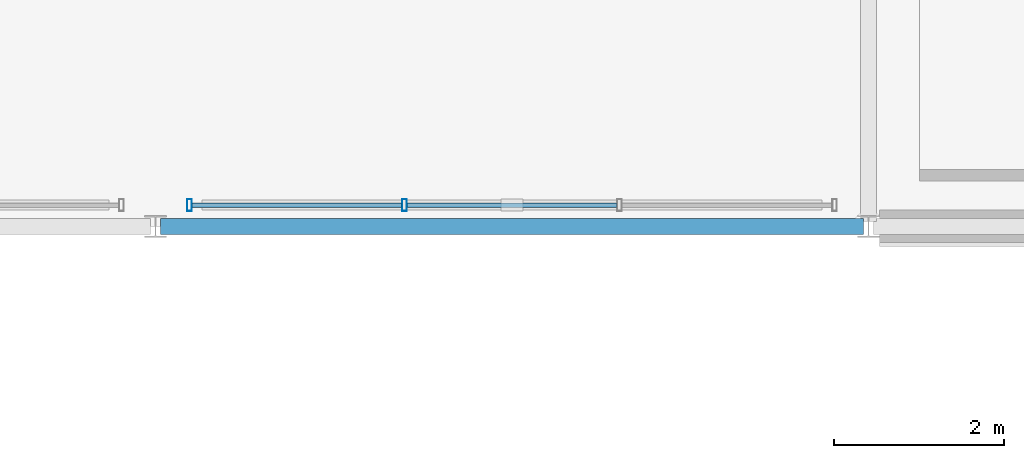
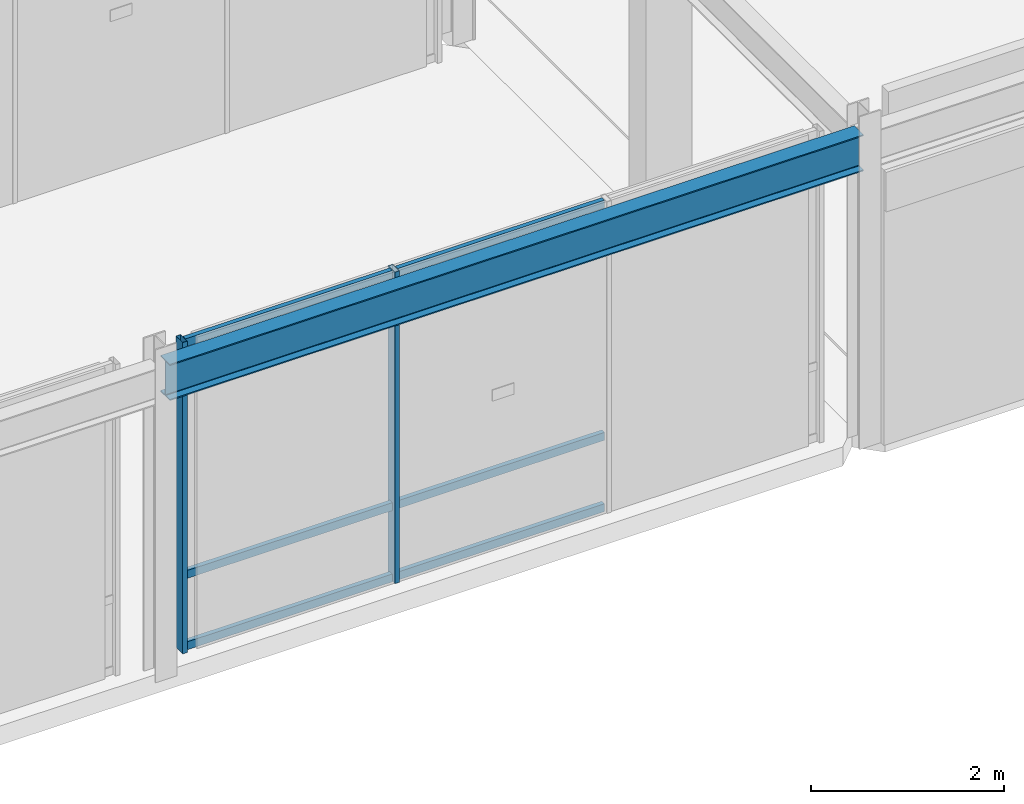
# One storey, part 26 of 152: 8 members, 1 beam, 1 element without a shape of its own.
"""IFC4 building model written with IfcOpenShell, lengths in metres."""

from ifc_helpers import new_model, si_unit, direction, frame, origin, origin_2d, place, context, subcontext, project, spatial, hollow_rectangle, i_section, extrude, material, material_profile, profile_set, type_object, element, aggregate, save


model = new_model("IFC4")

# Units and contexts
model_context = context("Model", 3, precision=1e-05, world=origin(), true_north=direction((0.0, 1.0)))
body_context = subcontext(model_context, "Body", "Model", "MODEL_VIEW")
ifc_project = project(units=[si_unit("LENGTHUNIT", "METRE"), si_unit("AREAUNIT", "SQUARE_METRE"), si_unit("VOLUMEUNIT", "CUBIC_METRE"), si_unit("PLANEANGLEUNIT", "RADIAN"), si_unit("MASSUNIT", "GRAM", prefix="KILO"), si_unit("THERMODYNAMICTEMPERATUREUNIT", "KELVIN"), si_unit("POWERUNIT", "WATT")], contexts=[model_context])

# Site, building, storey
site_placement = place(None, origin())
site = spatial("IfcSite", under=ifc_project, at=site_placement, CompositionType="ELEMENT")
building_placement = place(site_placement, origin())
building = spatial("IfcBuilding", under=site, at=building_placement, Name="Darbajah Civic Hall", CompositionType="ELEMENT")
storey_placement = place(building_placement, frame((0.0, 0.0, 5.39990234375)))
storey = spatial("IfcBuildingStorey", under=building, at=storey_placement, Name="L01", CompositionType="ELEMENT", Elevation=5.39990234375)

# Curtain wall, members
ifc_material_1 = material(Name="Anodised Bronze Aluminium and Low-E Glazing", Category="aluminium")
curtain_wall_type = type_object("IfcCurtainWallType", Name="Unitised Curtain Wall CW-103 7600x3950", PredefinedType="USERDEFINED", material=ifc_material_1)
curtain_wall_placement = place(storey_placement, origin())
curtain_wall = element("IfcCurtainWall", 1, at=curtain_wall_placement, inside=storey, type_object=curtain_wall_type, Name="L01 unitised curtain wall CW-V6-SW-S2-L01", ObjectType="UNITISED CURTAIN WALL", PredefinedType="USERDEFINED")
ifc_material_2 = material(Name="Anodised Bronze Aluminium", Category="aluminium")
ifc_material_profile_1 = material_profile(ifc_material_2, hollow_rectangle(XDim=0.054931640625, YDim=0.139892578125, WallThickness=0.003173828125, at=origin_2d()), Name="ALU MULLION 55x140")
ifc_profile_set_1 = profile_set([ifc_material_profile_1], Name="Anodised Bronze Aluminium")
member_type_1 = type_object("IfcMemberType", Name="ALU MULLION 55x140", PredefinedType="MULLION", material=ifc_profile_set_1)
member_1_placement = place(storey_placement, frame((76.0, 33.85009765625, 0.0), z_axis=(0.0, 0.0, 1.0), x_axis=(1.0, 0.0, 0.0)))
member_1 = element("IfcMember", 2, at=member_1_placement, type_object=member_type_1, Name="CW-V6-SW-S2-L01 mullion 1", PredefinedType="MULLION", context=body_context, shape_type="SweptSolid", body=[
    extrude(hollow_rectangle(XDim=0.054931640625, YDim=0.139892578125, WallThickness=0.003173828125, at=origin_2d()), origin(), (0.0, 0.0, 1.0), 3.93017578125),
])
member_2_placement = place(storey_placement, frame((78.533203125, 33.85009765625, 0.0), z_axis=(0.0, 0.0, 1.0), x_axis=(1.0, 0.0, 0.0)))
member_2 = element("IfcMember", 3, at=member_2_placement, type_object=member_type_1, Name="CW-V6-SW-S2-L01 mullion 2", PredefinedType="MULLION", context=body_context, shape_type="SweptSolid", body=[
    extrude(hollow_rectangle(XDim=0.054931640625, YDim=0.139892578125, WallThickness=0.003173828125, at=origin_2d()), origin(), (0.0, 0.0, 1.0), 3.93017578125),
])
ifc_material_profile_2 = material_profile(ifc_material_2, hollow_rectangle(XDim=0.054931640625, YDim=0.10009765625, WallThickness=0.0029296875, at=origin_2d()), Name="ALU TRANSOM 55x100")
ifc_profile_set_2 = profile_set([ifc_material_profile_2], Name="Anodised Bronze Aluminium")
member_type_2 = type_object("IfcMemberType", Name="ALU TRANSOM 55x100", PredefinedType="USERDEFINED", material=ifc_profile_set_2)
member_3_placement = place(storey_placement, frame((76.032470703125, 33.85009765625, 0.050048828125), z_axis=(1.0, 0.0, 0.0), x_axis=(0.0, 1.0, 0.0)))
member_3 = element("IfcMember", 4, at=member_3_placement, type_object=member_type_2, Name="CW-V6-SW-S2-L01 transom 1.1", ObjectType="TRANSOM", PredefinedType="USERDEFINED", context=body_context, shape_type="SweptSolid", body=[
    extrude(hollow_rectangle(XDim=0.054931640625, YDim=0.10009765625, WallThickness=0.0029296875, at=origin_2d()), origin(), (0.0, 0.0, 1.0), 2.46826171875),
])
member_4_placement = place(storey_placement, frame((76.032470703125, 33.85009765625, 0.9501953125), z_axis=(1.0, 0.0, 0.0), x_axis=(0.0, 1.0, 0.0)))
member_4 = element("IfcMember", 5, at=member_4_placement, type_object=member_type_2, Name="CW-V6-SW-S2-L01 transom 1.2", ObjectType="TRANSOM", PredefinedType="USERDEFINED", context=body_context, shape_type="SweptSolid", body=[
    extrude(hollow_rectangle(XDim=0.054931640625, YDim=0.10009765625, WallThickness=0.0029296875, at=origin_2d()), origin(), (0.0, 0.0, 1.0), 2.46826171875),
])
member_5_placement = place(storey_placement, frame((76.032470703125, 33.85009765625, 3.880126953125), z_axis=(1.0, 0.0, 0.0), x_axis=(0.0, 1.0, 0.0)))
member_5 = element("IfcMember", 6, at=member_5_placement, type_object=member_type_2, Name="CW-V6-SW-S2-L01 transom 1.3", ObjectType="TRANSOM", PredefinedType="USERDEFINED", context=body_context, shape_type="SweptSolid", body=[
    extrude(hollow_rectangle(XDim=0.054931640625, YDim=0.10009765625, WallThickness=0.0029296875, at=origin_2d()), origin(), (0.0, 0.0, 1.0), 2.46826171875),
])
member_6_placement = place(storey_placement, frame((78.56591796875, 33.85009765625, 0.050048828125), z_axis=(1.0, 0.0, 0.0), x_axis=(0.0, 1.0, 0.0)))
member_6 = element("IfcMember", 7, at=member_6_placement, type_object=member_type_2, Name="CW-V6-SW-S2-L01 transom 2.1", ObjectType="TRANSOM", PredefinedType="USERDEFINED", context=body_context, shape_type="SweptSolid", body=[
    extrude(hollow_rectangle(XDim=0.054931640625, YDim=0.10009765625, WallThickness=0.0029296875, at=origin_2d()), origin(), (0.0, 0.0, 1.0), 2.46826171875),
])
member_7_placement = place(storey_placement, frame((78.56591796875, 33.85009765625, 0.9501953125), z_axis=(1.0, 0.0, 0.0), x_axis=(0.0, 1.0, 0.0)))
member_7 = element("IfcMember", 8, at=member_7_placement, type_object=member_type_2, Name="CW-V6-SW-S2-L01 transom 2.2", ObjectType="TRANSOM", PredefinedType="USERDEFINED", context=body_context, shape_type="SweptSolid", body=[
    extrude(hollow_rectangle(XDim=0.054931640625, YDim=0.10009765625, WallThickness=0.0029296875, at=origin_2d()), origin(), (0.0, 0.0, 1.0), 2.46826171875),
])
member_8_placement = place(storey_placement, frame((78.56591796875, 33.85009765625, 3.880126953125), z_axis=(1.0, 0.0, 0.0), x_axis=(0.0, 1.0, 0.0)))
member_8 = element("IfcMember", 9, at=member_8_placement, type_object=member_type_2, Name="CW-V6-SW-S2-L01 transom 2.3", ObjectType="TRANSOM", PredefinedType="USERDEFINED", context=body_context, shape_type="SweptSolid", body=[
    extrude(hollow_rectangle(XDim=0.054931640625, YDim=0.10009765625, WallThickness=0.0029296875, at=origin_2d()), origin(), (0.0, 0.0, 1.0), 2.46826171875),
])
aggregate(curtain_wall, [member_1, member_2, member_3, member_4, member_5, member_6, member_7, member_8])

# Beam
ifc_material_3 = material(Name="Steel S355JR", Category="steel")
ifc_material_profile_3 = material_profile(ifc_material_3, i_section(OverallWidth=0.1904296875, OverallDepth=0.45703125, WebThickness=0.009033203125, FlangeThickness=0.014404296875, FilletRadius=0.01025390625, at=origin_2d()), Name="UB 457x191x74")
ifc_profile_set_3 = profile_set([ifc_material_profile_3], Name="Steel S355JR")
beam_type = type_object("IfcBeamType", Name="UB 457x191x74", PredefinedType="BEAM", material=ifc_profile_set_3)
beam_placement = place(storey_placement, frame((75.659912109375, 33.60009765625, 3.70166015625), z_axis=(1.0, 0.0, 0.0), x_axis=(0.0, 1.0, 0.0)))
element("IfcBeam", 10, at=beam_placement, inside=storey, type_object=beam_type, Name="L01 beam SB-457", PredefinedType="BEAM", context=body_context, shape_type="SweptSolid", body=[
    extrude(i_section(OverallWidth=0.1904296875, OverallDepth=0.45703125, WebThickness=0.009033203125, FlangeThickness=0.014404296875, FilletRadius=0.01025390625, at=origin_2d()), origin(), (0.0, 0.0, 1.0), 8.280029296875),
])

save(model, "model.ifc")
